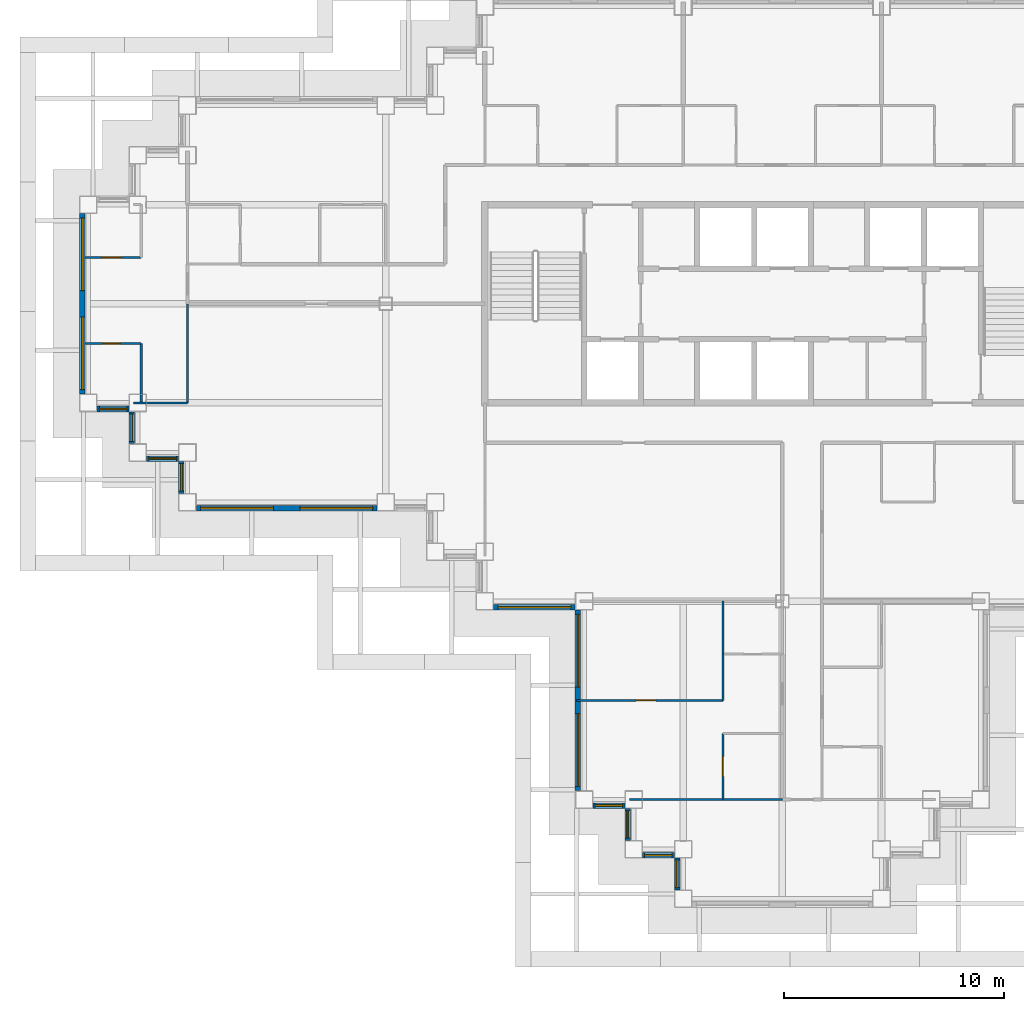
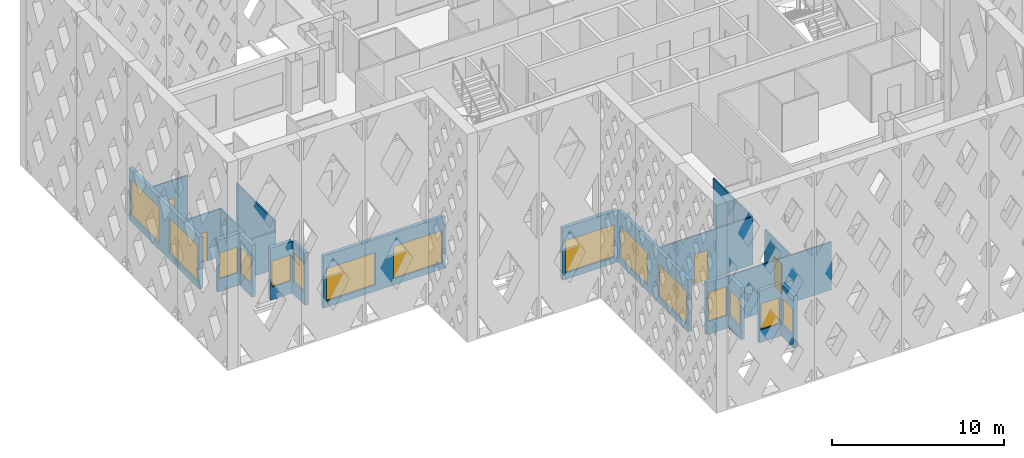
# One storey, part 3 of 19: 22 walls, 15 windows, 4 doors, 19 openings.
"""IFC4 building model written with IfcOpenShell, lengths in metres."""

from ifc_helpers import new_model, si_unit, direction, frame, frame_2d, origin, place, context, subcontext, project, spatial, rectangle, extrude, material, layer, layer_set, type_object, element, fill, save


model = new_model("IFC4")

# Units and contexts
model_context = context("Model", 3, precision=1e-05, world=origin(), true_north=direction((0.0, 1.0)))
body_context = subcontext(model_context, "Body", "Model", "MODEL_VIEW")
ifc_project = project(units=[si_unit("LENGTHUNIT", "METRE"), si_unit("AREAUNIT", "SQUARE_METRE"), si_unit("VOLUMEUNIT", "CUBIC_METRE"), si_unit("PLANEANGLEUNIT", "RADIAN"), si_unit("MASSUNIT", "GRAM", prefix="KILO")], contexts=[model_context])

# Site, building, storey
site_placement = place(None, origin())
site = spatial("IfcSite", under=ifc_project, at=site_placement, CompositionType="ELEMENT")
building_placement = place(site_placement, origin())
building = spatial("IfcBuilding", under=site, at=building_placement, Name="Caravel Reach Hotel and Residences", CompositionType="ELEMENT")
storey_placement = place(building_placement, frame((0.0, 0.0, 150.60009765625)))
storey = spatial("IfcBuildingStorey", under=building, at=storey_placement, Name="L37", CompositionType="ELEMENT", Elevation=150.60009765625)

# Wall, opening, door
ifc_material_1 = material(Name="Gypsum board on steel stud", Category="steel")
ifc_layer_1 = layer(ifc_material_1, 0.10009765625)
ifc_layer_set_1 = layer_set([ifc_layer_1], Name="Bathroom pod wall 100 mm")
wall_type_1 = type_object("IfcWallType", Name="Bathroom pod wall 100 mm", PredefinedType="PARTITIONING", material=ifc_layer_set_1)
wall_1_placement = place(storey_placement, frame((-0.14990234375, 25.199951171875, 0.0), z_axis=(0.0, 0.0, 1.0), x_axis=(1.0, 0.0, 0.0)))
wall_1 = element("IfcWall", 1, at=wall_1_placement, inside=storey, type_object=wall_type_1, Name="L37 wall w086", PredefinedType="PARTITIONING", context=body_context, shape_type="SweptSolid", body=[
    extrude(rectangle(XDim=2.5498046875, YDim=0.10009765625, at=frame_2d((1.27490234375, 0.0))), origin(), (0.0, 0.0, 1.0), 3.39990234375),
])
opening_1_placement = place(wall_1_placement, frame((0.800048828125, 0.0, 0.0)))
opening_1 = element("IfcOpeningElement", 2, at=opening_1_placement, cuts=wall_1, Name="Opening D37-047", PredefinedType="OPENING", context=body_context, shape_type="SweptSolid", body=[
    extrude(rectangle(XDim=0.800048828125, YDim=2.10009765625, at=frame_2d((0.39990234375, 1.050048828125))), frame((0.0, 0.06005859375, 0.0), z_axis=(0.0, -1.0, 0.0), x_axis=(1.0, 0.0, 0.0)), (0.0, 0.0, 1.0), 0.1201171875),
])
ifc_material_2 = material(Name="Timber and steel door leaf", Category="steel")
door_type_1 = type_object("IfcDoorType", Name="Bathroom door 800 x 2100", OperationType="SINGLE_SWING_LEFT", PredefinedType="DOOR", material=ifc_material_2)
door_1_placement = place(opening_1_placement, origin())
door_1 = element("IfcDoor", 3, at=door_1_placement, inside=storey, type_object=door_type_1, Name="door D37-047", OperationType="SINGLE_SWING_RIGHT", OverallHeight=2.10009765625, OverallWidth=0.800048828125, PredefinedType="DOOR", context=body_context, shape_type="SweptSolid", body=[
    extrude(rectangle(XDim=0.800048828125, YDim=2.10009765625, at=frame_2d((0.39990234375, 1.050048828125))), frame((0.0, 0.02490234375, 0.0), z_axis=(0.0, -1.0, 0.0), x_axis=(1.0, 0.0, 0.0)), (0.0, 0.0, 1.0), 0.050048828125),
])
fill(opening_1, door_1)

# Walls
wall_2_placement = place(storey_placement, frame((2.39990234375, 22.5, 0.0), z_axis=(0.0, 0.0, 1.0), x_axis=(0.0, 1.0, 0.0)))
element("IfcWall", 4, at=wall_2_placement, inside=storey, type_object=wall_type_1, Name="L37 wall w098", PredefinedType="PARTITIONING", context=body_context, shape_type="SweptSolid", body=[
    extrude(rectangle(XDim=2.699951171875, YDim=0.10009765625, at=frame_2d((1.35009765625, 0.0))), origin(), (0.0, 0.0, 1.0), 3.39990234375),
])
wall_3_placement = place(storey_placement, frame((28.800048828125, 11.10009765625, 0.0), z_axis=(0.0, 0.0, 1.0), x_axis=(0.0, 1.0, 0.0)))
element("IfcWall", 5, at=wall_3_placement, inside=storey, type_object=wall_type_1, Name="L37 wall w101", PredefinedType="PARTITIONING", context=body_context, shape_type="SweptSolid", body=[
    extrude(rectangle(XDim=2.39990234375, YDim=0.10009765625, at=frame_2d((1.199951171875, 0.0))), origin(), (0.0, 0.0, 1.0), 3.39990234375),
])

# Wall, opening, window
ifc_material_3 = material(Name="Insulated rainscreen wall, aluminium cladding", Category="aluminium")
ifc_layer_2 = layer(ifc_material_3, 0.25)
ifc_layer_set_2 = layer_set([ifc_layer_2], Name="EW1 Tower rainscreen wall")
wall_type_2 = type_object("IfcWallType", Name="EW1 Tower rainscreen wall", PredefinedType="SOLIDWALL", material=ifc_layer_set_2)
wall_4_placement = place(storey_placement, frame((22.89990234375, 4.22509765625, 0.0), z_axis=(0.0, 0.0, 1.0), x_axis=(1.0, 0.0, 0.0)))
wall_4 = element("IfcWall", 6, at=wall_4_placement, inside=storey, type_object=wall_type_2, Name="External wall L37 S1.1", PredefinedType="SOLIDWALL", context=body_context, shape_type="SweptSolid", body=[
    extrude(rectangle(XDim=1.4501953125, YDim=0.25, at=frame_2d((0.72509765625, 0.0))), origin(), (0.0, 0.0, 1.0), 3.699951171875),
])
opening_2_placement = place(wall_4_placement, frame((0.10009765625, 0.0, 0.89990234375)))
opening_2 = element("IfcOpeningElement", 7, at=opening_2_placement, cuts=wall_4, Name="Opening WN12", PredefinedType="OPENING", context=body_context, shape_type="SweptSolid", body=[
    extrude(rectangle(XDim=1.25, YDim=2.080078125, at=frame_2d((0.625, 1.0400390625))), frame((0.0, 0.135009765625, 0.0), z_axis=(0.0, -1.0, 0.0), x_axis=(1.0, 0.0, 0.0)), (0.0, 0.0, 1.0), 0.27001953125),
])
ifc_material_4 = material(Name="Dark low-e glazing in black aluminium frame", Category="aluminium")
window_type_1 = type_object("IfcWindowType", Name="Residence bedroom window 1250 x 2080", PartitioningType="SINGLE_PANEL", PredefinedType="WINDOW", material=ifc_material_4)
window_1_placement = place(opening_2_placement, origin())
window_1 = element("IfcWindow", 8, at=window_1_placement, inside=storey, type_object=window_type_1, Name="Window L37 S1.1.1", OverallHeight=2.080078125, OverallWidth=1.25, PartitioningType="SINGLE_PANEL", PredefinedType="WINDOW", context=body_context, shape_type="SweptSolid", body=[
    extrude(rectangle(XDim=1.25, YDim=2.080078125, at=frame_2d((0.625, 1.0400390625))), frame((0.0, 0.030029296875, 0.0), z_axis=(0.0, -1.0, 0.0), x_axis=(1.0, 0.0, 0.0)), (0.0, 0.0, 1.0), 0.06005859375),
])
fill(opening_2, window_1)

wall_5_placement = place(storey_placement, frame((24.47509765625, 4.10009765625, 0.0), z_axis=(0.0, 0.0, 1.0), x_axis=(0.0, -1.0, 0.0)))
wall_5 = element("IfcWall", 9, at=wall_5_placement, inside=storey, type_object=wall_type_2, Name="External wall L37 W2.1", PredefinedType="SOLIDWALL", context=body_context, shape_type="SweptSolid", body=[
    extrude(rectangle(XDim=1.4501953125, YDim=0.25, at=frame_2d((0.72509765625, 0.0))), origin(), (0.0, 0.0, 1.0), 3.699951171875),
])
opening_3_placement = place(wall_5_placement, frame((0.10009765625, 0.0, 0.89990234375)))
opening_3 = element("IfcOpeningElement", 10, at=opening_3_placement, cuts=wall_5, Name="Opening WN13", PredefinedType="OPENING", context=body_context, shape_type="SweptSolid", body=[
    extrude(rectangle(XDim=1.25, YDim=1.85009765625, at=frame_2d((0.625, 0.925048828125))), frame((0.0, 0.135009765625, 0.0), z_axis=(0.0, -1.0, 0.0), x_axis=(1.0, 0.0, 0.0)), (0.0, 0.0, 1.0), 0.27001953125),
])
ifc_material_5 = material(Name="Dark low-e glazing in black aluminium frame", Category="aluminium")
window_type_2 = type_object("IfcWindowType", Name="Residence bedroom window 1250 x 1850", PartitioningType="SINGLE_PANEL", PredefinedType="WINDOW", material=ifc_material_5)
window_2_placement = place(opening_3_placement, origin())
window_2 = element("IfcWindow", 11, at=window_2_placement, inside=storey, type_object=window_type_2, Name="Window L37 W2.1.1", OverallHeight=1.85009765625, OverallWidth=1.25, PartitioningType="SINGLE_PANEL", PredefinedType="WINDOW", context=body_context, shape_type="SweptSolid", body=[
    extrude(rectangle(XDim=1.25, YDim=1.85009765625, at=frame_2d((0.625, 0.925048828125))), frame((0.0, 0.030029296875, 0.0), z_axis=(0.0, -1.0, 0.0), x_axis=(1.0, 0.0, 0.0)), (0.0, 0.0, 1.0), 0.06005859375),
])
fill(opening_3, window_2)

wall_6_placement = place(storey_placement, frame((25.14990234375, 1.97509765625, 0.0), z_axis=(0.0, 0.0, 1.0), x_axis=(1.0, 0.0, 0.0)))
wall_6 = element("IfcWall", 12, at=wall_6_placement, inside=storey, type_object=wall_type_2, Name="External wall L37 S3.1", PredefinedType="SOLIDWALL", context=body_context, shape_type="SweptSolid", body=[
    extrude(rectangle(XDim=1.4501953125, YDim=0.25, at=frame_2d((0.72509765625, 0.0))), origin(), (0.0, 0.0, 1.0), 3.699951171875),
])
opening_4_placement = place(wall_6_placement, frame((0.10009765625, 0.0, 0.89990234375)))
opening_4 = element("IfcOpeningElement", 13, at=opening_4_placement, cuts=wall_6, Name="Opening WN13", PredefinedType="OPENING", context=body_context, shape_type="SweptSolid", body=[
    extrude(rectangle(XDim=1.25, YDim=1.85009765625, at=frame_2d((0.625, 0.925048828125))), frame((0.0, 0.135009765625, 0.0), z_axis=(0.0, -1.0, 0.0), x_axis=(1.0, 0.0, 0.0)), (0.0, 0.0, 1.0), 0.27001953125),
])
window_3_placement = place(opening_4_placement, origin())
window_3 = element("IfcWindow", 14, at=window_3_placement, inside=storey, type_object=window_type_2, Name="Window L37 S3.1.1", OverallHeight=1.85009765625, OverallWidth=1.25, PartitioningType="SINGLE_PANEL", PredefinedType="WINDOW", context=body_context, shape_type="SweptSolid", body=[
    extrude(rectangle(XDim=1.25, YDim=1.85009765625, at=frame_2d((0.625, 0.925048828125))), frame((0.0, 0.030029296875, 0.0), z_axis=(0.0, -1.0, 0.0), x_axis=(1.0, 0.0, 0.0)), (0.0, 0.0, 1.0), 0.06005859375),
])
fill(opening_4, window_3)

wall_7_placement = place(storey_placement, frame((26.72509765625, 1.85009765625, 0.0), z_axis=(0.0, 0.0, 1.0), x_axis=(0.0, -1.0, 0.0)))
wall_7 = element("IfcWall", 15, at=wall_7_placement, inside=storey, type_object=wall_type_2, Name="External wall L37 W4.1", PredefinedType="SOLIDWALL", context=body_context, shape_type="SweptSolid", body=[
    extrude(rectangle(XDim=1.4501953125, YDim=0.25, at=frame_2d((0.72509765625, 0.0))), origin(), (0.0, 0.0, 1.0), 3.699951171875),
])
opening_5_placement = place(wall_7_placement, frame((0.10009765625, 0.0, 0.89990234375)))
opening_5 = element("IfcOpeningElement", 16, at=opening_5_placement, cuts=wall_7, Name="Opening WN13", PredefinedType="OPENING", context=body_context, shape_type="SweptSolid", body=[
    extrude(rectangle(XDim=1.25, YDim=1.85009765625, at=frame_2d((0.625, 0.925048828125))), frame((0.0, 0.135009765625, 0.0), z_axis=(0.0, -1.0, 0.0), x_axis=(1.0, 0.0, 0.0)), (0.0, 0.0, 1.0), 0.27001953125),
])
window_4_placement = place(opening_5_placement, origin())
window_4 = element("IfcWindow", 17, at=window_4_placement, inside=storey, type_object=window_type_2, Name="Window L37 W4.1.1", OverallHeight=1.85009765625, OverallWidth=1.25, PartitioningType="SINGLE_PANEL", PredefinedType="WINDOW", context=body_context, shape_type="SweptSolid", body=[
    extrude(rectangle(XDim=1.25, YDim=1.85009765625, at=frame_2d((0.625, 0.925048828125))), frame((0.0, 0.030029296875, 0.0), z_axis=(0.0, -1.0, 0.0), x_axis=(1.0, 0.0, 0.0)), (0.0, 0.0, 1.0), 0.06005859375),
])
fill(opening_5, window_4)

# Wall, openings, windows
wall_8_placement = place(storey_placement, frame((-0.27490234375, 31.10009765625, 0.0), z_axis=(0.0, 0.0, 1.0), x_axis=(0.0, -1.0, 0.0)))
wall_8 = element("IfcWall", 18, at=wall_8_placement, inside=storey, type_object=wall_type_2, Name="External wall L37 W38.1", PredefinedType="SOLIDWALL", context=body_context, shape_type="SweptSolid", body=[
    extrude(rectangle(XDim=8.2001953125, YDim=0.25, at=frame_2d((4.10009765625, 0.0))), origin(), (0.0, 0.0, 1.0), 3.699951171875),
])
opening_6_placement = place(wall_8_placement, frame((0.199951171875, 0.0, 0.449951171875)))
opening_6 = element("IfcOpeningElement", 19, at=opening_6_placement, cuts=wall_8, Name="Opening WN14", PredefinedType="OPENING", context=body_context, shape_type="SweptSolid", body=[
    extrude(rectangle(XDim=3.300048828125, YDim=2.530029296875, at=frame_2d((1.64990234375, 1.26513671875))), frame((0.0, 0.135009765625, 0.0), z_axis=(0.0, -1.0, 0.0), x_axis=(1.0, 0.0, 0.0)), (0.0, 0.0, 1.0), 0.27001953125),
])
opening_7_placement = place(wall_8_placement, frame((4.699951171875, 0.0, 0.449951171875)))
opening_7 = element("IfcOpeningElement", 20, at=opening_7_placement, cuts=wall_8, Name="Opening WN14", PredefinedType="OPENING", context=body_context, shape_type="SweptSolid", body=[
    extrude(rectangle(XDim=3.300048828125, YDim=2.530029296875, at=frame_2d((1.64990234375, 1.26513671875))), frame((0.0, 0.135009765625, 0.0), z_axis=(0.0, -1.0, 0.0), x_axis=(1.0, 0.0, 0.0)), (0.0, 0.0, 1.0), 0.27001953125),
])
ifc_material_6 = material(Name="Dark low-e glazing in black aluminium frame", Category="aluminium")
window_type_3 = type_object("IfcWindowType", Name="Residence living window 3300 x 2530", PartitioningType="SINGLE_PANEL", PredefinedType="WINDOW", material=ifc_material_6)
window_5_placement = place(opening_6_placement, origin())
window_5 = element("IfcWindow", 21, at=window_5_placement, inside=storey, type_object=window_type_3, Name="Window L37 W38.1.1", OverallHeight=2.530029296875, OverallWidth=3.300048828125, PartitioningType="SINGLE_PANEL", PredefinedType="WINDOW", context=body_context, shape_type="SweptSolid", body=[
    extrude(rectangle(XDim=3.300048828125, YDim=2.530029296875, at=frame_2d((1.64990234375, 1.26513671875))), frame((0.0, 0.030029296875, 0.0), z_axis=(0.0, -1.0, 0.0), x_axis=(1.0, 0.0, 0.0)), (0.0, 0.0, 1.0), 0.06005859375),
])
fill(opening_6, window_5)
window_6_placement = place(opening_7_placement, origin())
window_6 = element("IfcWindow", 22, at=window_6_placement, inside=storey, type_object=window_type_3, Name="Window L37 W38.1.2", OverallHeight=2.530029296875, OverallWidth=3.300048828125, PartitioningType="SINGLE_PANEL", PredefinedType="WINDOW", context=body_context, shape_type="SweptSolid", body=[
    extrude(rectangle(XDim=3.300048828125, YDim=2.530029296875, at=frame_2d((1.64990234375, 1.26513671875))), frame((0.0, 0.030029296875, 0.0), z_axis=(0.0, -1.0, 0.0), x_axis=(1.0, 0.0, 0.0)), (0.0, 0.0, 1.0), 0.06005859375),
])
fill(opening_7, window_6)

# Wall, opening, window
wall_9_placement = place(storey_placement, frame((0.39990234375, 22.22509765625, 0.0), z_axis=(0.0, 0.0, 1.0), x_axis=(1.0, 0.0, 0.0)))
wall_9 = element("IfcWall", 23, at=wall_9_placement, inside=storey, type_object=wall_type_2, Name="External wall L37 S39.1", PredefinedType="SOLIDWALL", context=body_context, shape_type="SweptSolid", body=[
    extrude(rectangle(XDim=1.4501953125, YDim=0.25, at=frame_2d((0.72509765625, 0.0))), origin(), (0.0, 0.0, 1.0), 3.699951171875),
])
opening_8_placement = place(wall_9_placement, frame((0.10009765625, 0.0, 0.89990234375)))
opening_8 = element("IfcOpeningElement", 24, at=opening_8_placement, cuts=wall_9, Name="Opening WN13", PredefinedType="OPENING", context=body_context, shape_type="SweptSolid", body=[
    extrude(rectangle(XDim=1.25, YDim=1.85009765625, at=frame_2d((0.625, 0.925048828125))), frame((0.0, 0.135009765625, 0.0), z_axis=(0.0, -1.0, 0.0), x_axis=(1.0, 0.0, 0.0)), (0.0, 0.0, 1.0), 0.27001953125),
])
window_7_placement = place(opening_8_placement, origin())
window_7 = element("IfcWindow", 25, at=window_7_placement, inside=storey, type_object=window_type_2, Name="Window L37 S39.1.1", OverallHeight=1.85009765625, OverallWidth=1.25, PartitioningType="SINGLE_PANEL", PredefinedType="WINDOW", context=body_context, shape_type="SweptSolid", body=[
    extrude(rectangle(XDim=1.25, YDim=1.85009765625, at=frame_2d((0.625, 0.925048828125))), frame((0.0, 0.030029296875, 0.0), z_axis=(0.0, -1.0, 0.0), x_axis=(1.0, 0.0, 0.0)), (0.0, 0.0, 1.0), 0.06005859375),
])
fill(opening_8, window_7)

wall_10_placement = place(storey_placement, frame((1.97509765625, 22.10009765625, 0.0), z_axis=(0.0, 0.0, 1.0), x_axis=(0.0, -1.0, 0.0)))
wall_10 = element("IfcWall", 26, at=wall_10_placement, inside=storey, type_object=wall_type_2, Name="External wall L37 W40.1", PredefinedType="SOLIDWALL", context=body_context, shape_type="SweptSolid", body=[
    extrude(rectangle(XDim=1.4501953125, YDim=0.25, at=frame_2d((0.72509765625, 0.0))), origin(), (0.0, 0.0, 1.0), 3.699951171875),
])
opening_9_placement = place(wall_10_placement, frame((0.10009765625, 0.0, 0.89990234375)))
opening_9 = element("IfcOpeningElement", 27, at=opening_9_placement, cuts=wall_10, Name="Opening WN13", PredefinedType="OPENING", context=body_context, shape_type="SweptSolid", body=[
    extrude(rectangle(XDim=1.25, YDim=1.85009765625, at=frame_2d((0.625, 0.925048828125))), frame((0.0, 0.135009765625, 0.0), z_axis=(0.0, -1.0, 0.0), x_axis=(1.0, 0.0, 0.0)), (0.0, 0.0, 1.0), 0.27001953125),
])
window_8_placement = place(opening_9_placement, origin())
window_8 = element("IfcWindow", 28, at=window_8_placement, inside=storey, type_object=window_type_2, Name="Window L37 W40.1.1", OverallHeight=1.85009765625, OverallWidth=1.25, PartitioningType="SINGLE_PANEL", PredefinedType="WINDOW", context=body_context, shape_type="SweptSolid", body=[
    extrude(rectangle(XDim=1.25, YDim=1.85009765625, at=frame_2d((0.625, 0.925048828125))), frame((0.0, 0.030029296875, 0.0), z_axis=(0.0, -1.0, 0.0), x_axis=(1.0, 0.0, 0.0)), (0.0, 0.0, 1.0), 0.06005859375),
])
fill(opening_9, window_8)

wall_11_placement = place(storey_placement, frame((2.64990234375, 19.97509765625, 0.0), z_axis=(0.0, 0.0, 1.0), x_axis=(1.0, 0.0, 0.0)))
wall_11 = element("IfcWall", 29, at=wall_11_placement, inside=storey, type_object=wall_type_2, Name="External wall L37 S41.1", PredefinedType="SOLIDWALL", context=body_context, shape_type="SweptSolid", body=[
    extrude(rectangle(XDim=1.4501953125, YDim=0.25, at=frame_2d((0.72509765625, 0.0))), origin(), (0.0, 0.0, 1.0), 3.699951171875),
])
opening_10_placement = place(wall_11_placement, frame((0.10009765625, 0.0, 0.89990234375)))
opening_10 = element("IfcOpeningElement", 30, at=opening_10_placement, cuts=wall_11, Name="Opening WN13", PredefinedType="OPENING", context=body_context, shape_type="SweptSolid", body=[
    extrude(rectangle(XDim=1.25, YDim=1.85009765625, at=frame_2d((0.625, 0.925048828125))), frame((0.0, 0.135009765625, 0.0), z_axis=(0.0, -1.0, 0.0), x_axis=(1.0, 0.0, 0.0)), (0.0, 0.0, 1.0), 0.27001953125),
])
window_9_placement = place(opening_10_placement, origin())
window_9 = element("IfcWindow", 31, at=window_9_placement, inside=storey, type_object=window_type_2, Name="Window L37 S41.1.1", OverallHeight=1.85009765625, OverallWidth=1.25, PartitioningType="SINGLE_PANEL", PredefinedType="WINDOW", context=body_context, shape_type="SweptSolid", body=[
    extrude(rectangle(XDim=1.25, YDim=1.85009765625, at=frame_2d((0.625, 0.925048828125))), frame((0.0, 0.030029296875, 0.0), z_axis=(0.0, -1.0, 0.0), x_axis=(1.0, 0.0, 0.0)), (0.0, 0.0, 1.0), 0.06005859375),
])
fill(opening_10, window_9)

wall_12_placement = place(storey_placement, frame((4.22509765625, 19.85009765625, 0.0), z_axis=(0.0, 0.0, 1.0), x_axis=(0.0, -1.0, 0.0)))
wall_12 = element("IfcWall", 32, at=wall_12_placement, inside=storey, type_object=wall_type_2, Name="External wall L37 W42.1", PredefinedType="SOLIDWALL", context=body_context, shape_type="SweptSolid", body=[
    extrude(rectangle(XDim=1.4501953125, YDim=0.25, at=frame_2d((0.72509765625, 0.0))), origin(), (0.0, 0.0, 1.0), 3.699951171875),
])
opening_11_placement = place(wall_12_placement, frame((0.10009765625, 0.0, 0.89990234375)))
opening_11 = element("IfcOpeningElement", 33, at=opening_11_placement, cuts=wall_12, Name="Opening WN12", PredefinedType="OPENING", context=body_context, shape_type="SweptSolid", body=[
    extrude(rectangle(XDim=1.25, YDim=2.080078125, at=frame_2d((0.625, 1.0400390625))), frame((0.0, 0.135009765625, 0.0), z_axis=(0.0, -1.0, 0.0), x_axis=(1.0, 0.0, 0.0)), (0.0, 0.0, 1.0), 0.27001953125),
])
window_10_placement = place(opening_11_placement, origin())
window_10 = element("IfcWindow", 34, at=window_10_placement, inside=storey, type_object=window_type_1, Name="Window L37 W42.1.1", OverallHeight=2.080078125, OverallWidth=1.25, PartitioningType="SINGLE_PANEL", PredefinedType="WINDOW", context=body_context, shape_type="SweptSolid", body=[
    extrude(rectangle(XDim=1.25, YDim=2.080078125, at=frame_2d((0.625, 1.0400390625))), frame((0.0, 0.030029296875, 0.0), z_axis=(0.0, -1.0, 0.0), x_axis=(1.0, 0.0, 0.0)), (0.0, 0.0, 1.0), 0.06005859375),
])
fill(opening_11, window_10)

# Wall, openings, windows
wall_13_placement = place(storey_placement, frame((4.89990234375, 17.72509765625, 0.0), z_axis=(0.0, 0.0, 1.0), x_axis=(1.0, 0.0, 0.0)))
wall_13 = element("IfcWall", 35, at=wall_13_placement, inside=storey, type_object=wall_type_2, Name="External wall L37 S43.1", PredefinedType="SOLIDWALL", context=body_context, shape_type="SweptSolid", body=[
    extrude(rectangle(XDim=8.2001953125, YDim=0.25, at=frame_2d((4.10009765625, 0.0))), origin(), (0.0, 0.0, 1.0), 3.699951171875),
])
opening_12_placement = place(wall_13_placement, frame((0.199951171875, 0.0, 0.449951171875)))
opening_12 = element("IfcOpeningElement", 36, at=opening_12_placement, cuts=wall_13, Name="Opening WN15", PredefinedType="OPENING", context=body_context, shape_type="SweptSolid", body=[
    extrude(rectangle(XDim=3.300048828125, YDim=2.300048828125, at=frame_2d((1.64990234375, 1.14990234375))), frame((0.0, 0.135009765625, 0.0), z_axis=(0.0, -1.0, 0.0), x_axis=(1.0, 0.0, 0.0)), (0.0, 0.0, 1.0), 0.27001953125),
])
opening_13_placement = place(wall_13_placement, frame((4.699951171875, 0.0, 0.449951171875)))
opening_13 = element("IfcOpeningElement", 37, at=opening_13_placement, cuts=wall_13, Name="Opening WN15", PredefinedType="OPENING", context=body_context, shape_type="SweptSolid", body=[
    extrude(rectangle(XDim=3.300048828125, YDim=2.300048828125, at=frame_2d((1.64990234375, 1.14990234375))), frame((0.0, 0.135009765625, 0.0), z_axis=(0.0, -1.0, 0.0), x_axis=(1.0, 0.0, 0.0)), (0.0, 0.0, 1.0), 0.27001953125),
])
ifc_material_7 = material(Name="Dark low-e glazing in black aluminium frame", Category="aluminium")
window_type_4 = type_object("IfcWindowType", Name="Residence living window 3300 x 2300", PartitioningType="SINGLE_PANEL", PredefinedType="WINDOW", material=ifc_material_7)
window_11_placement = place(opening_12_placement, origin())
window_11 = element("IfcWindow", 38, at=window_11_placement, inside=storey, type_object=window_type_4, Name="Window L37 S43.1.1", OverallHeight=2.300048828125, OverallWidth=3.300048828125, PartitioningType="SINGLE_PANEL", PredefinedType="WINDOW", context=body_context, shape_type="SweptSolid", body=[
    extrude(rectangle(XDim=3.300048828125, YDim=2.300048828125, at=frame_2d((1.64990234375, 1.14990234375))), frame((0.0, 0.030029296875, 0.0), z_axis=(0.0, -1.0, 0.0), x_axis=(1.0, 0.0, 0.0)), (0.0, 0.0, 1.0), 0.06005859375),
])
fill(opening_12, window_11)
window_12_placement = place(opening_13_placement, origin())
window_12 = element("IfcWindow", 39, at=window_12_placement, inside=storey, type_object=window_type_4, Name="Window L37 S43.1.2", OverallHeight=2.300048828125, OverallWidth=3.300048828125, PartitioningType="SINGLE_PANEL", PredefinedType="WINDOW", context=body_context, shape_type="SweptSolid", body=[
    extrude(rectangle(XDim=3.300048828125, YDim=2.300048828125, at=frame_2d((1.64990234375, 1.14990234375))), frame((0.0, 0.030029296875, 0.0), z_axis=(0.0, -1.0, 0.0), x_axis=(1.0, 0.0, 0.0)), (0.0, 0.0, 1.0), 0.06005859375),
])
fill(opening_13, window_12)

# Wall, opening, window
wall_14_placement = place(storey_placement, frame((18.39990234375, 13.22509765625, 0.0), z_axis=(0.0, 0.0, 1.0), x_axis=(1.0, 0.0, 0.0)))
wall_14 = element("IfcWall", 40, at=wall_14_placement, inside=storey, type_object=wall_type_2, Name="External wall L37 S47.1", PredefinedType="SOLIDWALL", context=body_context, shape_type="SweptSolid", body=[
    extrude(rectangle(XDim=3.7001953125, YDim=0.25, at=frame_2d((1.85009765625, 0.0))), origin(), (0.0, 0.0, 1.0), 3.699951171875),
])
opening_14_placement = place(wall_14_placement, frame((0.199951171875, 0.0, 0.449951171875)))
opening_14 = element("IfcOpeningElement", 41, at=opening_14_placement, cuts=wall_14, Name="Opening WN15", PredefinedType="OPENING", context=body_context, shape_type="SweptSolid", body=[
    extrude(rectangle(XDim=3.300048828125, YDim=2.300048828125, at=frame_2d((1.64990234375, 1.14990234375))), frame((0.0, 0.135009765625, 0.0), z_axis=(0.0, -1.0, 0.0), x_axis=(1.0, 0.0, 0.0)), (0.0, 0.0, 1.0), 0.27001953125),
])
window_13_placement = place(opening_14_placement, origin())
window_13 = element("IfcWindow", 42, at=window_13_placement, inside=storey, type_object=window_type_4, Name="Window L37 S47.1.1", OverallHeight=2.300048828125, OverallWidth=3.300048828125, PartitioningType="SINGLE_PANEL", PredefinedType="WINDOW", context=body_context, shape_type="SweptSolid", body=[
    extrude(rectangle(XDim=3.300048828125, YDim=2.300048828125, at=frame_2d((1.64990234375, 1.14990234375))), frame((0.0, 0.030029296875, 0.0), z_axis=(0.0, -1.0, 0.0), x_axis=(1.0, 0.0, 0.0)), (0.0, 0.0, 1.0), 0.06005859375),
])
fill(opening_14, window_13)

# Wall, openings, windows
wall_15_placement = place(storey_placement, frame((22.22509765625, 13.10009765625, 0.0), z_axis=(0.0, 0.0, 1.0), x_axis=(0.0, -1.0, 0.0)))
wall_15 = element("IfcWall", 43, at=wall_15_placement, inside=storey, type_object=wall_type_2, Name="External wall L37 W48.1", PredefinedType="SOLIDWALL", context=body_context, shape_type="SweptSolid", body=[
    extrude(rectangle(XDim=8.2001953125, YDim=0.25, at=frame_2d((4.10009765625, 0.0))), origin(), (0.0, 0.0, 1.0), 3.699951171875),
])
opening_15_placement = place(wall_15_placement, frame((0.199951171875, 0.0, 0.449951171875)))
opening_15 = element("IfcOpeningElement", 44, at=opening_15_placement, cuts=wall_15, Name="Opening WN15", PredefinedType="OPENING", context=body_context, shape_type="SweptSolid", body=[
    extrude(rectangle(XDim=3.300048828125, YDim=2.300048828125, at=frame_2d((1.64990234375, 1.14990234375))), frame((0.0, 0.135009765625, 0.0), z_axis=(0.0, -1.0, 0.0), x_axis=(1.0, 0.0, 0.0)), (0.0, 0.0, 1.0), 0.27001953125),
])
opening_16_placement = place(wall_15_placement, frame((4.699951171875, 0.0, 0.449951171875)))
opening_16 = element("IfcOpeningElement", 45, at=opening_16_placement, cuts=wall_15, Name="Opening WN15", PredefinedType="OPENING", context=body_context, shape_type="SweptSolid", body=[
    extrude(rectangle(XDim=3.300048828125, YDim=2.300048828125, at=frame_2d((1.64990234375, 1.14990234375))), frame((0.0, 0.135009765625, 0.0), z_axis=(0.0, -1.0, 0.0), x_axis=(1.0, 0.0, 0.0)), (0.0, 0.0, 1.0), 0.27001953125),
])
window_14_placement = place(opening_15_placement, origin())
window_14 = element("IfcWindow", 46, at=window_14_placement, inside=storey, type_object=window_type_4, Name="Window L37 W48.1.1", OverallHeight=2.300048828125, OverallWidth=3.300048828125, PartitioningType="SINGLE_PANEL", PredefinedType="WINDOW", context=body_context, shape_type="SweptSolid", body=[
    extrude(rectangle(XDim=3.300048828125, YDim=2.300048828125, at=frame_2d((1.64990234375, 1.14990234375))), frame((0.0, 0.030029296875, 0.0), z_axis=(0.0, -1.0, 0.0), x_axis=(1.0, 0.0, 0.0)), (0.0, 0.0, 1.0), 0.06005859375),
])
fill(opening_15, window_14)
window_15_placement = place(opening_16_placement, origin())
window_15 = element("IfcWindow", 47, at=window_15_placement, inside=storey, type_object=window_type_4, Name="Window L37 W48.1.2", OverallHeight=2.300048828125, OverallWidth=3.300048828125, PartitioningType="SINGLE_PANEL", PredefinedType="WINDOW", context=body_context, shape_type="SweptSolid", body=[
    extrude(rectangle(XDim=3.300048828125, YDim=2.300048828125, at=frame_2d((1.64990234375, 1.14990234375))), frame((0.0, 0.030029296875, 0.0), z_axis=(0.0, -1.0, 0.0), x_axis=(1.0, 0.0, 0.0)), (0.0, 0.0, 1.0), 0.06005859375),
])
fill(opening_16, window_15)

# Wall
ifc_material_8 = material(Name="Gypsum board on steel stud", Category="steel")
ifc_layer_3 = layer(ifc_material_8, 0.10009765625)
ifc_layer_set_3 = layer_set([ifc_layer_3], Name="Partition 100 mm")
wall_type_3 = type_object("IfcWallType", Name="Partition 100 mm", PredefinedType="PARTITIONING", material=ifc_layer_set_3)
wall_16_placement = place(storey_placement, frame((2.06005859375, 22.5, 0.0), z_axis=(0.0, 0.0, 1.0), x_axis=(1.0, 0.0, 0.0)))
element("IfcWall", 48, at=wall_16_placement, inside=storey, type_object=wall_type_3, Name="L37 wall w039", PredefinedType="PARTITIONING", context=body_context, shape_type="SweptSolid", body=[
    extrude(rectangle(XDim=2.43896484375, YDim=0.10009765625, at=frame_2d((1.219482421875, 0.0))), origin(), (0.0, 0.0, 1.0), 2.679931640625),
])

# Wall, opening, door
wall_17_placement = place(storey_placement, frame((-0.14990234375, 29.10009765625, 0.0), z_axis=(0.0, 0.0, 1.0), x_axis=(1.0, 0.0, 0.0)))
wall_17 = element("IfcWall", 49, at=wall_17_placement, inside=storey, type_object=wall_type_3, Name="L37 wall w040", PredefinedType="PARTITIONING", context=body_context, shape_type="SweptSolid", body=[
    extrude(rectangle(XDim=2.5498046875, YDim=0.10009765625, at=frame_2d((1.27490234375, 0.0))), origin(), (0.0, 0.0, 1.0), 3.39990234375),
])
opening_17_placement = place(wall_17_placement, frame((0.75, 0.0, 0.0)))
opening_17 = element("IfcOpeningElement", 50, at=opening_17_placement, cuts=wall_17, Name="Opening D37-048", PredefinedType="OPENING", context=body_context, shape_type="SweptSolid", body=[
    extrude(rectangle(XDim=0.89990234375, YDim=2.10009765625, at=frame_2d((0.449951171875, 1.050048828125))), frame((0.0, 0.06005859375, 0.0), z_axis=(0.0, -1.0, 0.0), x_axis=(1.0, 0.0, 0.0)), (0.0, 0.0, 1.0), 0.1201171875),
])
ifc_material_9 = material(Name="Timber and steel door leaf", Category="steel")
door_type_2 = type_object("IfcDoorType", Name="Door 900 x 2100 timber", OperationType="SINGLE_SWING_LEFT", PredefinedType="DOOR", material=ifc_material_9)
door_2_placement = place(opening_17_placement, origin())
door_2 = element("IfcDoor", 51, at=door_2_placement, inside=storey, type_object=door_type_2, Name="door D37-048", OperationType="SINGLE_SWING_RIGHT", OverallHeight=2.10009765625, OverallWidth=0.89990234375, PredefinedType="DOOR", context=body_context, shape_type="SweptSolid", body=[
    extrude(rectangle(XDim=0.89990234375, YDim=2.10009765625, at=frame_2d((0.449951171875, 1.050048828125))), frame((0.0, 0.02490234375, 0.0), z_axis=(0.0, -1.0, 0.0), x_axis=(1.0, 0.0, 0.0)), (0.0, 0.0, 1.0), 0.050048828125),
])
fill(opening_17, door_2)

# Wall
wall_18_placement = place(storey_placement, frame((24.56005859375, 4.5, 0.0), z_axis=(0.0, 0.0, 1.0), x_axis=(1.0, 0.0, 0.0)))
element("IfcWall", 52, at=wall_18_placement, inside=storey, type_object=wall_type_3, Name="L37 wall w049", PredefinedType="PARTITIONING", context=body_context, shape_type="SweptSolid", body=[
    extrude(rectangle(XDim=6.93994140625, YDim=0.10009765625, at=frame_2d((3.469970703125, 0.0))), origin(), (0.0, 0.0, 1.0), 3.39990234375),
])

# Wall, opening, door
wall_19_placement = place(storey_placement, frame((22.159912109375, 9.0, 0.0), z_axis=(0.0, 0.0, 1.0), x_axis=(1.0, 0.0, 0.0)))
wall_19 = element("IfcWall", 53, at=wall_19_placement, inside=storey, type_object=wall_type_3, Name="L37 wall w052", PredefinedType="PARTITIONING", context=body_context, shape_type="SweptSolid", body=[
    extrude(rectangle(XDim=6.64013671875, YDim=0.10009765625, at=frame_2d((3.320068359375, 0.0))), origin(), (0.0, 0.0, 1.0), 3.39990234375),
])
opening_18_placement = place(wall_19_placement, frame((2.699951171875, 0.0, 0.0)))
opening_18 = element("IfcOpeningElement", 54, at=opening_18_placement, cuts=wall_19, Name="Opening D37-042", PredefinedType="OPENING", context=body_context, shape_type="SweptSolid", body=[
    extrude(rectangle(XDim=0.89990234375, YDim=2.10009765625, at=frame_2d((0.449951171875, 1.050048828125))), frame((0.0, 0.06005859375, 0.0), z_axis=(0.0, -1.0, 0.0), x_axis=(1.0, 0.0, 0.0)), (0.0, 0.0, 1.0), 0.1201171875),
])
door_3_placement = place(opening_18_placement, origin())
door_3 = element("IfcDoor", 55, at=door_3_placement, inside=storey, type_object=door_type_2, Name="door D37-042", OperationType="SINGLE_SWING_LEFT", OverallHeight=2.10009765625, OverallWidth=0.89990234375, PredefinedType="DOOR", context=body_context, shape_type="SweptSolid", body=[
    extrude(rectangle(XDim=0.89990234375, YDim=2.10009765625, at=frame_2d((0.449951171875, 1.050048828125))), frame((0.0, 0.02490234375, 0.0), z_axis=(0.0, -1.0, 0.0), x_axis=(1.0, 0.0, 0.0)), (0.0, 0.0, 1.0), 0.050048828125),
])
fill(opening_18, door_3)

# Wall
wall_20_placement = place(storey_placement, frame((28.800048828125, 9.0, 0.0), z_axis=(0.0, 0.0, 1.0), x_axis=(0.0, 1.0, 0.0)))
element("IfcWall", 56, at=wall_20_placement, inside=storey, type_object=wall_type_3, Name="L37 wall w059", PredefinedType="PARTITIONING", context=body_context, shape_type="SweptSolid", body=[
    extrude(rectangle(XDim=2.10009765625, YDim=0.10009765625, at=frame_2d((1.050048828125, 0.0))), origin(), (0.0, 0.0, 1.0), 3.39990234375),
])

# Wall, opening, door
wall_21_placement = place(storey_placement, frame((28.800048828125, 4.5, 0.0), z_axis=(0.0, 0.0, 1.0), x_axis=(0.0, 1.0, 0.0)))
wall_21 = element("IfcWall", 57, at=wall_21_placement, inside=storey, type_object=wall_type_3, Name="L37 wall w060", PredefinedType="PARTITIONING", context=body_context, shape_type="SweptSolid", body=[
    extrude(rectangle(XDim=3.0, YDim=0.10009765625, at=frame_2d((1.5, 0.0))), origin(), (0.0, 0.0, 1.0), 3.39990234375),
])
opening_19_placement = place(wall_21_placement, frame((1.050048828125, 0.0, 0.0)))
opening_19 = element("IfcOpeningElement", 58, at=opening_19_placement, cuts=wall_21, Name="Opening D37-040", PredefinedType="OPENING", context=body_context, shape_type="SweptSolid", body=[
    extrude(rectangle(XDim=0.89990234375, YDim=2.10009765625, at=frame_2d((0.449951171875, 1.050048828125))), frame((0.0, 0.06005859375, 0.0), z_axis=(0.0, -1.0, 0.0), x_axis=(1.0, 0.0, 0.0)), (0.0, 0.0, 1.0), 0.1201171875),
])
door_4_placement = place(opening_19_placement, origin())
door_4 = element("IfcDoor", 59, at=door_4_placement, inside=storey, type_object=door_type_2, Name="door D37-040", OperationType="SINGLE_SWING_LEFT", OverallHeight=2.10009765625, OverallWidth=0.89990234375, PredefinedType="DOOR", context=body_context, shape_type="SweptSolid", body=[
    extrude(rectangle(XDim=0.89990234375, YDim=2.10009765625, at=frame_2d((0.449951171875, 1.050048828125))), frame((0.0, 0.02490234375, 0.0), z_axis=(0.0, -1.0, 0.0), x_axis=(1.0, 0.0, 0.0)), (0.0, 0.0, 1.0), 0.050048828125),
])
fill(opening_19, door_4)

# Wall
wall_22_placement = place(storey_placement, frame((4.5, 22.5, 0.0), z_axis=(0.0, 0.0, 1.0), x_axis=(0.0, 1.0, 0.0)))
element("IfcWall", 60, at=wall_22_placement, inside=storey, type_object=wall_type_3, Name="L37 wall w063", PredefinedType="PARTITIONING", context=body_context, shape_type="SweptSolid", body=[
    extrude(rectangle(XDim=4.5, YDim=0.10009765625, at=frame_2d((2.25, 0.0))), origin(), (0.0, 0.0, 1.0), 3.39990234375),
])

save(model, "model.ifc")
